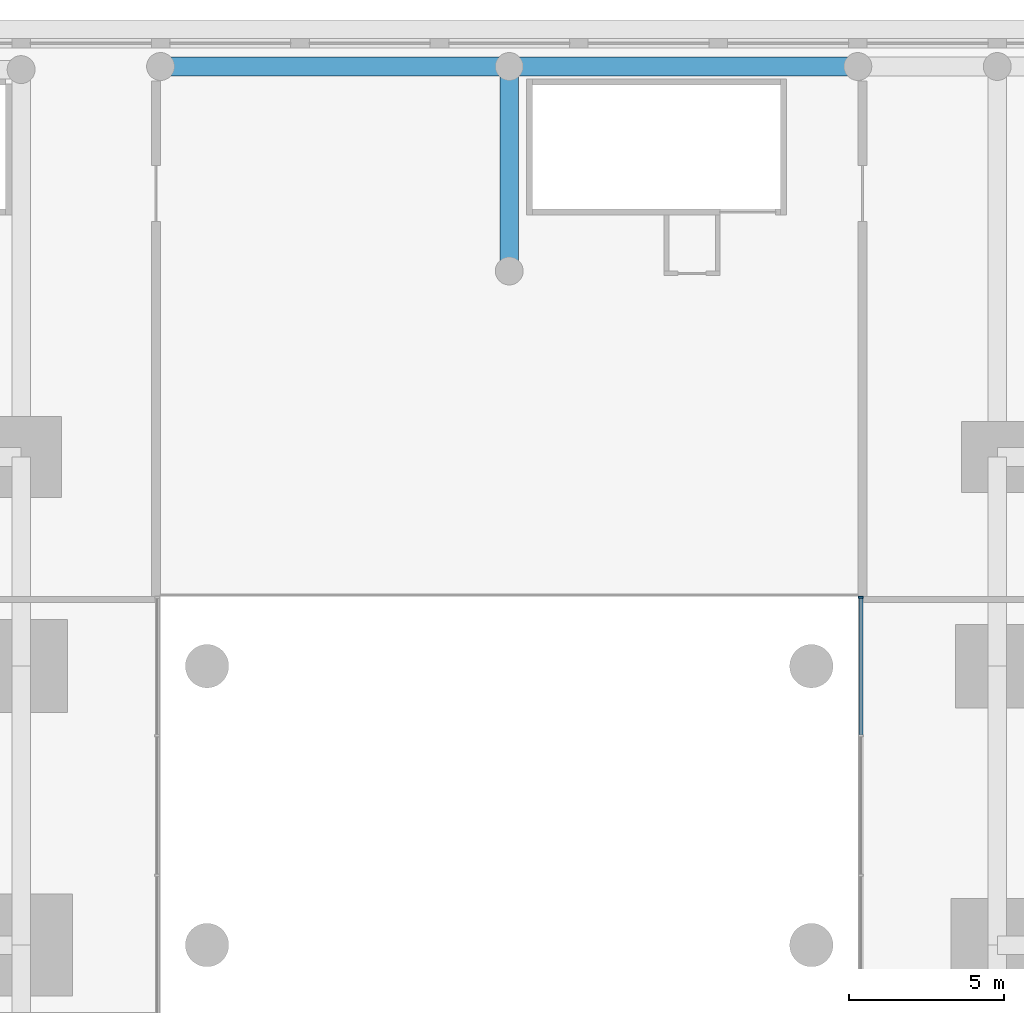
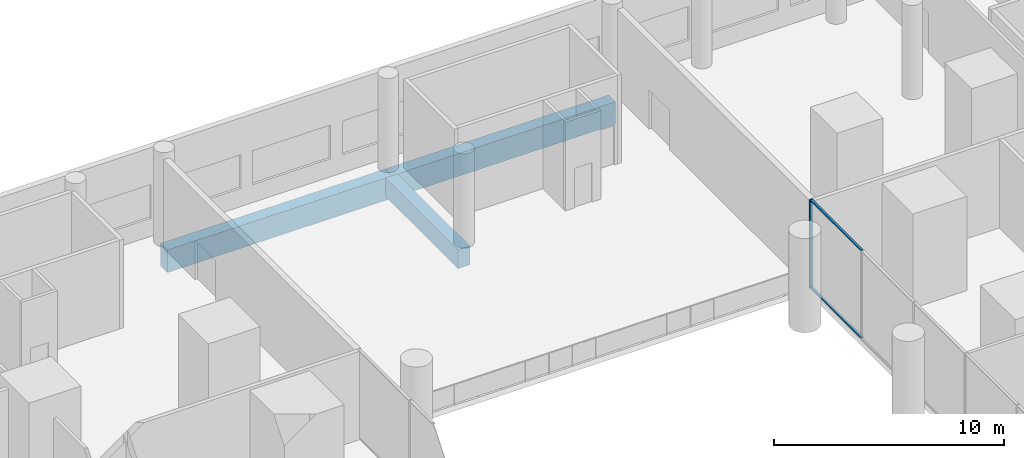
# One storey, part 6 of 20: 3 beams, 3 members, 1 element without a shape of its own.
"""IFC4 building model written with IfcOpenShell, lengths in metres."""

from ifc_helpers import new_model, si_unit, direction, frame, origin, origin_2d, place, context, subcontext, project, spatial, rectangle, extrude, material, layer, layer_set, material_profile, profile_set, type_object, element, aggregate, save


model = new_model("IFC4")

# Units and contexts
model_context = context("Model", 3, precision=1e-05, world=origin(), true_north=direction((0.0, 1.0)))
body_context = subcontext(model_context, "Body", "Model", "MODEL_VIEW")
ifc_project = project(units=[si_unit("LENGTHUNIT", "METRE"), si_unit("AREAUNIT", "SQUARE_METRE"), si_unit("VOLUMEUNIT", "CUBIC_METRE"), si_unit("PLANEANGLEUNIT", "RADIAN"), si_unit("MASSUNIT", "GRAM", prefix="KILO")], contexts=[model_context])

# Site, building, storey
site_placement = place(None, origin())
site = spatial("IfcSite", under=ifc_project, at=site_placement, CompositionType="ELEMENT")
building_placement = place(site_placement, origin())
building = spatial("IfcBuilding", under=site, at=building_placement, Name="Namib Vertical Campus", CompositionType="ELEMENT")
storey_placement = place(building_placement, frame((0.0, 0.0, 16.0)))
storey = spatial("IfcBuildingStorey", under=building, at=storey_placement, Name="L03", CompositionType="ELEMENT", Elevation=16.0)

# Curtain wall, members
ifc_material_1 = material(Name="Black aluminium curtain wall", Category="aluminium")
ifc_layer = layer(ifc_material_1, 0.199951171875)
ifc_layer_set = layer_set([ifc_layer], Name="Atrium screen curtain wall CW-AT")
curtain_wall_type = type_object("IfcCurtainWallType", Name="Atrium screen curtain wall CW-AT", PredefinedType="USERDEFINED", material=ifc_layer_set)
curtain_wall_placement = place(storey_placement, origin())
curtain_wall = element("IfcCurtainWall", 1, at=curtain_wall_placement, inside=storey, type_object=curtain_wall_type, Name="Curtain wall CW-AT atrium B L03 1", ObjectType="CURTAIN WALL", PredefinedType="USERDEFINED")
ifc_material_2 = material(Name="Black anodised aluminium", Category="aluminium")
ifc_material_profile_1 = material_profile(ifc_material_2, rectangle(XDim=0.06005859375, YDim=0.159912109375, at=origin_2d()))
ifc_profile_set_1 = profile_set([ifc_material_profile_1], Name="Black anodised aluminium")
member_type_1 = type_object("IfcMemberType", Name="Curtain wall mullion 60x160", PredefinedType="MULLION", material=ifc_profile_set_1)
member_1_placement = place(storey_placement, frame((63.10009765625, 31.469970703125, 0.0), z_axis=(0.0, 0.0, 1.0), x_axis=(0.0, 1.0, 0.0)))
member_1 = element("IfcMember", 2, at=member_1_placement, type_object=member_type_1, Name="CW-AT mullion 6", PredefinedType="MULLION", context=body_context, shape_type="SweptSolid", body=[
    extrude(rectangle(XDim=0.06005859375, YDim=0.159912109375, at=origin_2d()), origin(), (0.0, 0.0, 1.0), 4.699951171875),
])
ifc_material_3 = material(Name="Black anodised aluminium", Category="aluminium")
ifc_material_profile_2 = material_profile(ifc_material_3, rectangle(XDim=0.06005859375, YDim=0.1201171875, at=origin_2d()))
ifc_profile_set_2 = profile_set([ifc_material_profile_2], Name="Black anodised aluminium")
member_type_2 = type_object("IfcMemberType", Name="Curtain wall transom 60x120", PredefinedType="USERDEFINED", material=ifc_profile_set_2)
member_2_placement = place(storey_placement, frame((63.10009765625, 27.030029296875, 0.030029296875), z_axis=(0.0, 1.0, 0.0), x_axis=(0.0, 0.0, 1.0)))
member_2 = element("IfcMember", 3, at=member_2_placement, type_object=member_type_2, Name="CW-AT transom 5.1", ObjectType="TRANSOM", PredefinedType="USERDEFINED", context=body_context, shape_type="SweptSolid", body=[
    extrude(rectangle(XDim=0.06005859375, YDim=0.1201171875, at=origin_2d()), origin(), (0.0, 0.0, 1.0), 4.409912109375),
])
member_3_placement = place(storey_placement, frame((63.10009765625, 27.030029296875, 4.669921875), z_axis=(0.0, 1.0, 0.0), x_axis=(0.0, 0.0, 1.0)))
member_3 = element("IfcMember", 4, at=member_3_placement, type_object=member_type_2, Name="CW-AT transom 5.2", ObjectType="TRANSOM", PredefinedType="USERDEFINED", context=body_context, shape_type="SweptSolid", body=[
    extrude(rectangle(XDim=0.06005859375, YDim=0.1201171875, at=origin_2d()), origin(), (0.0, 0.0, 1.0), 4.409912109375),
])
aggregate(curtain_wall, [member_1, member_2, member_3])

# Beams
ifc_material_4 = material(Name="Concrete C40/50", Category="concrete")
ifc_material_profile_3 = material_profile(ifc_material_4, rectangle(XDim=0.60009765625, YDim=1.199951171875, at=origin_2d()))
ifc_profile_set_3 = profile_set([ifc_material_profile_3], Name="Concrete C40/50")
beam_type_1 = type_object("IfcBeamType", Name="Long-span podium beam RC 600x1200", PredefinedType="BEAM", material=ifc_profile_set_3)
for number, where, z_axis, x_axis, name in (
    (5, (40.5, 48.60009765625, -0.89990234375), (1.0, 0.0, 0.0), (0.0, 1.0, 0.0), "Beam PB4 L03"),
    (6, (51.75, 48.60009765625, -0.89990234375), (1.0, 0.0, 0.0), (0.0, 1.0, 0.0), "Beam PB4 L03"),
):
    element("IfcBeam", number, at=place(storey_placement, frame(where, z_axis=z_axis, x_axis=x_axis)), inside=storey, type_object=beam_type_1, Name=name, PredefinedType="BEAM", context=body_context, shape_type="SweptSolid", body=[
        extrude(rectangle(XDim=0.60009765625, YDim=1.199951171875, at=origin_2d()), origin(), (0.0, 0.0, 1.0), 11.25),
    ])
ifc_material_5 = material(Name="Concrete C40/50", Category="concrete")
ifc_material_profile_4 = material_profile(ifc_material_5, rectangle(XDim=0.60009765625, YDim=1.0, at=origin_2d()))
ifc_profile_set_4 = profile_set([ifc_material_profile_4], Name="Concrete C40/50")
beam_type_2 = type_object("IfcBeamType", Name="Podium beam RC 600x1000", PredefinedType="BEAM", material=ifc_profile_set_4)
beam_placement = place(storey_placement, frame((51.75, 42.0, -0.800048828125), z_axis=(0.0, 1.0, 0.0), x_axis=(-1.0, 0.0, 0.0)))
element("IfcBeam", 7, at=beam_placement, inside=storey, type_object=beam_type_2, Name="Beam PB1 L03", PredefinedType="BEAM", context=body_context, shape_type="SweptSolid", body=[
    extrude(rectangle(XDim=0.60009765625, YDim=1.0, at=origin_2d()), origin(), (0.0, 0.0, 1.0), 6.60009765625),
])

save(model, "model.ifc")
